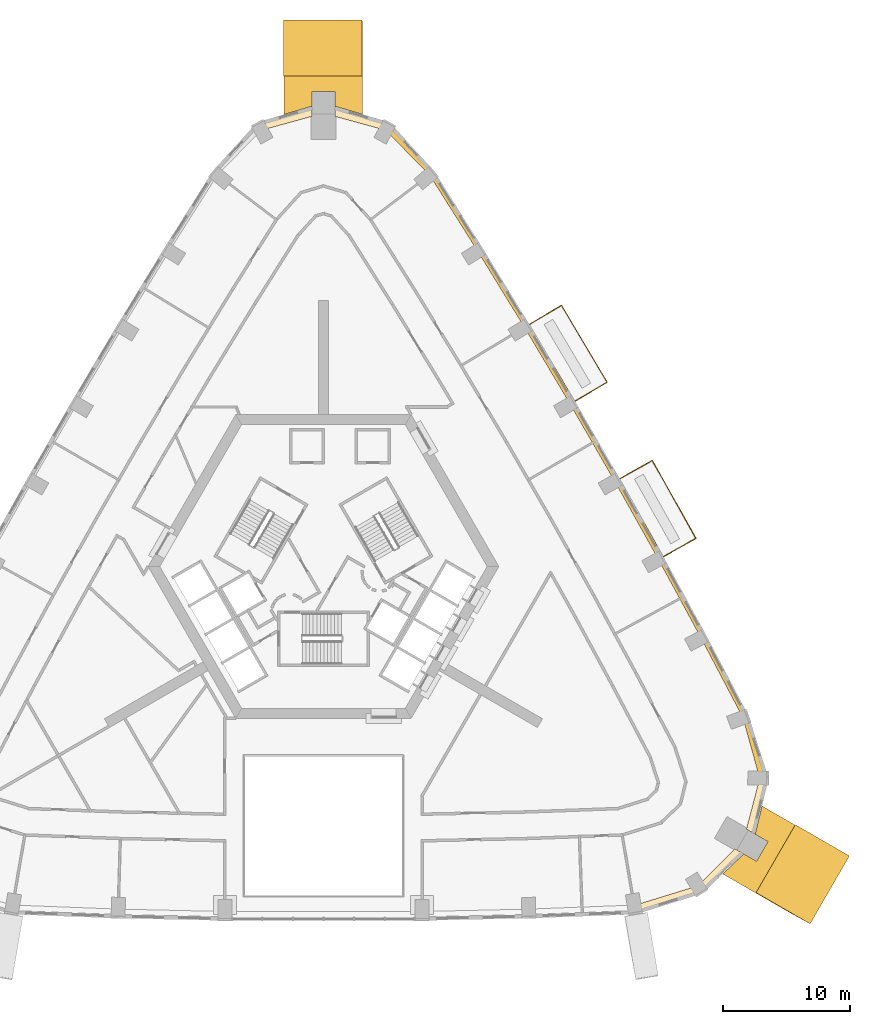
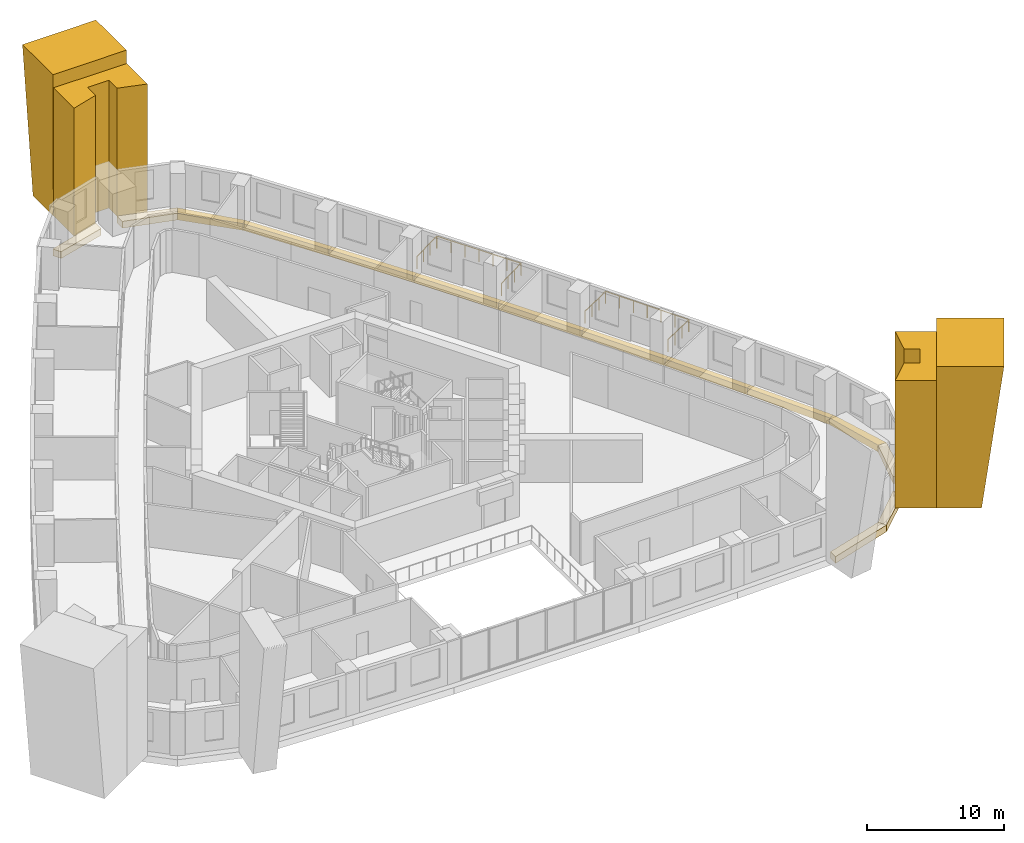
# One storey, part 14 of 14: 18 coverings, 2 railings.
"""IFC4 building model written with IfcOpenShell, lengths in metres."""

from ifc_helpers import new_model, si_unit, direction, frame, origin, origin_2d, place, context, subcontext, project, spatial, polyline, circle, outline, extrude, material, type_object, element, save


model = new_model("IFC4")

# Units and contexts
model_context = context("Model", 3, precision=1e-05, world=origin(), true_north=direction((0.0, 1.0)))
body_context = subcontext(model_context, "Body", "Model", "MODEL_VIEW")
ifc_project = project(units=[si_unit("LENGTHUNIT", "METRE"), si_unit("AREAUNIT", "SQUARE_METRE"), si_unit("VOLUMEUNIT", "CUBIC_METRE"), si_unit("PLANEANGLEUNIT", "RADIAN"), si_unit("MASSUNIT", "GRAM", prefix="KILO")], contexts=[model_context])

# Site, building, storey
site_placement = place(None, origin())
site = spatial("IfcSite", under=ifc_project, at=site_placement, CompositionType="ELEMENT")
building_placement = place(site_placement, origin())
building = spatial("IfcBuilding", under=site, at=building_placement, Name="Entoto Arch Interchange Tower", CompositionType="ELEMENT")
storey_placement = place(building_placement, frame((0.0, 0.0, 163.39990234375)))
storey = spatial("IfcBuildingStorey", under=building, at=storey_placement, Name="L36", CompositionType="ELEMENT", Elevation=163.39990234375)

# Railings
ifc_material_1 = material(Name="Stainless steel 1.4301", Category="steel")
railing_type = type_object("IfcRailingType", Name="GUARD 1100 STEEL AND GLASS", PredefinedType="GUARDRAIL", material=ifc_material_1)
railing_1_placement = place(storey_placement, frame((26.860107421875, 3.27490234375, 0.0)))
element("IfcRailing", 1, at=railing_1_placement, inside=storey, type_object=railing_type, Name="Balcony guard NE-03 L36", PredefinedType="GUARDRAIL", context=body_context, shape_type="SweptSolid", body=[
    extrude(circle(Radius=0.02392578125, at=origin_2d()), frame((0.0, 0.0, 1.076171875), z_axis=(0.872182657065, 0.489180347842, 0.0), x_axis=(-0.489180347842, 0.872182657065, 0.0)), (0.0, 0.0, 1.0), 2.949951171875),
    extrude(circle(Radius=0.02392578125, at=origin_2d()), frame((2.572998046875, 1.443115234375, 1.076171875), z_axis=(-0.489034853552, 0.872264244373, 0.0), x_axis=(-0.872264244373, -0.489034853552, 0.0)), (0.0, 0.0, 1.0), 7.06298828125),
    extrude(circle(Radius=0.02392578125, at=origin_2d()), frame((-0.881103515625, 7.60400390625, 1.076171875), z_axis=(-0.872217965147, -0.489117390077, 0.0), x_axis=(0.489117390077, -0.872217965147, 0.0)), (0.0, 0.0, 1.0), 2.949951171875),
    extrude(circle(Radius=0.02099609375, at=origin_2d()), origin(), (0.0, 0.0, 1.0), 1.052001953125),
    extrude(circle(Radius=0.02099609375, at=origin_2d()), frame((0.857666015625, 0.48095703125, 0.0)), (0.0, 0.0, 1.0), 1.052001953125),
    extrude(circle(Radius=0.02099609375, at=origin_2d()), frame((1.71533203125, 0.962158203125, 0.0)), (0.0, 0.0, 1.0), 1.052001953125),
    extrude(circle(Radius=0.02099609375, at=origin_2d()), frame((2.572998046875, 1.443115234375, 0.0)), (0.0, 0.0, 1.0), 1.052001953125),
    extrude(circle(Radius=0.02099609375, at=origin_2d()), frame((1.997314453125, 2.469970703125, 0.0)), (0.0, 0.0, 1.0), 1.052001953125),
    extrude(circle(Radius=0.02099609375, at=origin_2d()), frame((1.421630859375, 3.496826171875, 0.0)), (0.0, 0.0, 1.0), 1.052001953125),
    extrude(circle(Radius=0.02099609375, at=origin_2d()), frame((0.845947265625, 4.5234375, 0.0)), (0.0, 0.0, 1.0), 1.052001953125),
    extrude(circle(Radius=0.02099609375, at=origin_2d()), frame((0.270263671875, 5.55029296875, 0.0)), (0.0, 0.0, 1.0), 1.052001953125),
    extrude(circle(Radius=0.02099609375, at=origin_2d()), frame((-0.305419921875, 6.5771484375, 0.0)), (0.0, 0.0, 1.0), 1.052001953125),
    extrude(circle(Radius=0.02099609375, at=origin_2d()), frame((-0.881103515625, 7.60400390625, 0.0)), (0.0, 0.0, 1.0), 1.052001953125),
    extrude(circle(Radius=0.02099609375, at=origin_2d()), frame((-1.73876953125, 7.123046875, 0.0)), (0.0, 0.0, 1.0), 1.052001953125),
    extrude(circle(Radius=0.02099609375, at=origin_2d()), frame((-2.596435546875, 6.64208984375, 0.0)), (0.0, 0.0, 1.0), 1.052001953125),
    extrude(circle(Radius=0.02099609375, at=origin_2d()), frame((-3.4541015625, 6.1611328125, 0.0)), (0.0, 0.0, 1.0), 1.052001953125),
])
railing_2_placement = place(storey_placement, frame((19.875, 15.552978515625, 0.0)))
element("IfcRailing", 2, at=railing_2_placement, inside=storey, type_object=railing_type, Name="Balcony guard NE-05 L36", PredefinedType="GUARDRAIL", context=body_context, shape_type="SweptSolid", body=[
    extrude(circle(Radius=0.02392578125, at=origin_2d()), frame((0.0, 0.0, 1.076171875), z_axis=(0.859646901656, 0.510888641949, 0.0), x_axis=(-0.510888641949, 0.859646901656, 0.0)), (0.0, 0.0, 1.0), 2.949951171875),
    extrude(circle(Radius=0.02392578125, at=origin_2d()), frame((2.535888671875, 1.507080078125, 1.076171875), z_axis=(-0.510978756975, 0.859593339853, 0.0), x_axis=(-0.859593339853, -0.510978756975, 0.0)), (0.0, 0.0, 1.0), 7.062744140625),
    extrude(circle(Radius=0.02392578125, at=origin_2d()), frame((-1.072998046875, 7.578125, 1.076171875), z_axis=(-0.859646901656, -0.510888641949, 0.0), x_axis=(0.510888641949, -0.859646901656, 0.0)), (0.0, 0.0, 1.0), 2.949951171875),
    extrude(circle(Radius=0.02099609375, at=origin_2d()), origin(), (0.0, 0.0, 1.0), 1.052001953125),
    extrude(circle(Radius=0.02099609375, at=origin_2d()), frame((0.84521484375, 0.50244140625, 0.0)), (0.0, 0.0, 1.0), 1.052001953125),
    extrude(circle(Radius=0.02099609375, at=origin_2d()), frame((1.690673828125, 1.004638671875, 0.0)), (0.0, 0.0, 1.0), 1.052001953125),
    extrude(circle(Radius=0.02099609375, at=origin_2d()), frame((2.535888671875, 1.507080078125, 0.0)), (0.0, 0.0, 1.0), 1.052001953125),
    extrude(circle(Radius=0.02099609375, at=origin_2d()), frame((1.934326171875, 2.51904296875, 0.0)), (0.0, 0.0, 1.0), 1.052001953125),
    extrude(circle(Radius=0.02099609375, at=origin_2d()), frame((1.3330078125, 3.53076171875, 0.0)), (0.0, 0.0, 1.0), 1.052001953125),
    extrude(circle(Radius=0.02099609375, at=origin_2d()), frame((0.7314453125, 4.54248046875, 0.0)), (0.0, 0.0, 1.0), 1.052001953125),
    extrude(circle(Radius=0.02099609375, at=origin_2d()), frame((0.1298828125, 5.554443359375, 0.0)), (0.0, 0.0, 1.0), 1.052001953125),
    extrude(circle(Radius=0.02099609375, at=origin_2d()), frame((-0.471435546875, 6.56640625, 0.0)), (0.0, 0.0, 1.0), 1.052001953125),
    extrude(circle(Radius=0.02099609375, at=origin_2d()), frame((-1.072998046875, 7.578125, 0.0)), (0.0, 0.0, 1.0), 1.052001953125),
    extrude(circle(Radius=0.02099609375, at=origin_2d()), frame((-1.918212890625, 7.07568359375, 0.0)), (0.0, 0.0, 1.0), 1.052001953125),
    extrude(circle(Radius=0.02099609375, at=origin_2d()), frame((-2.763671875, 6.573486328125, 0.0)), (0.0, 0.0, 1.0), 1.052001953125),
    extrude(circle(Radius=0.02099609375, at=origin_2d()), frame((-3.60888671875, 6.071044921875, 0.0)), (0.0, 0.0, 1.0), 1.052001953125),
])

# Coverings
ifc_material_2 = material(Name="Board-marked precast concrete C50/60", Category="concrete")
covering_type_1 = type_object("IfcCoveringType", Name="PRECAST FRAME COURSE", PredefinedType="CLADDING", material=ifc_material_2)
covering_1_placement = place(storey_placement, frame((0.0, 0.0, -0.39990234375)))
element("IfcCovering", 3, at=covering_1_placement, inside=storey, type_object=covering_type_1, Name="Corner pilaster SE L36-L38", PredefinedType="CLADDING", context=body_context, shape_type="SweptSolid", body=[
    extrude(outline(polyline([(37.258056640625, -17.929931640625), (34.157958984375, -23.300048828125), (31.5458984375, -21.7919921875), (33.208984375, -20.2119140625), (34.218017578125, -20.7939453125), (35.117919921875, -19.236083984375), (34.10888671875, -18.653076171875), (34.64599609375, -16.422119140625), (37.258056640625, -17.929931640625)])), origin(), (0.0, 0.0, 1.0), 11.39990234375),
])
covering_2_placement = place(storey_placement, frame((0.0, 0.0, -0.39990234375)))
element("IfcCovering", 4, at=covering_2_placement, inside=storey, type_object=covering_type_1, Name="Corner pilaster N L36-L38", PredefinedType="CLADDING", context=body_context, shape_type="SweptSolid", body=[
    extrude(outline(polyline([(-3.10009765625, 41.23095703125), (3.10009765625, 41.23095703125), (3.10009765625, 38.216064453125), (0.89990234375, 38.864990234375), (0.89990234375, 40.031005859375), (-0.89990234375, 40.031005859375), (-0.89990234375, 38.864990234375), (-3.10009765625, 38.216064453125), (-3.10009765625, 41.23095703125)])), origin(), (0.0, 0.0, 1.0), 11.39990234375),
])
covering_3_placement = place(storey_placement, frame((34.157958984375, -23.300048828125, -0.39990234375), z_axis=(-0.499983741929, -0.866029497231, 0.003027826491), x_axis=(0.866033466902, -0.499986034011, -7.9219e-08)))
element("IfcCovering", 5, at=covering_3_placement, inside=storey, type_object=covering_type_1, Name="Corner rib SE L36-L38", PredefinedType="CLADDING", context=body_context, shape_type="SweptSolid", body=[
    extrude(outline(polyline([(0.0, 0.0), (3.297794230841676, 0.0), (4.933892830251761, 12.600155804672813), (1.1818200398631304e-05, 12.600155152567064), (0.0, 0.0)])), origin(), (0.0, 0.0, -1.0), 6.199951171875),
])
covering_4_placement = place(storey_placement, frame((3.10009765625, 41.23095703125, -0.39990234375), z_axis=(0.999995431764, 0.0, 0.003022656217), x_axis=(0.0, 1.0, 0.0)))
element("IfcCovering", 6, at=covering_4_placement, inside=storey, type_object=covering_type_1, Name="Corner rib N L36-L38", PredefinedType="CLADDING", context=body_context, shape_type="SweptSolid", body=[
    extrude(outline(polyline([(0.0, 0.0), (2.968994140625, 0.0), (4.442138671875, 12.600155216729355), (0.0, 12.600155216729355), (0.0, 0.0)])), origin(), (0.0, 0.0, -1.0), 6.199951171875),
])
covering_type_2 = type_object("IfcCoveringType", Name="PRECAST LEDGE COURSE", PredefinedType="CLADDING", material=ifc_material_2)
covering_5_placement = place(storey_placement, frame((0.0, 0.0, -1.0)))
element("IfcCovering", 7, at=covering_5_placement, inside=storey, type_object=covering_type_2, Name="Precast course SE-01 L36", PredefinedType="CLADDING", context=body_context, shape_type="SweptSolid", body=[
    extrude(outline(polyline([(29.551025390625, -22.735107421875), (29.9189453125, -23.339111328125), (24.6689453125, -24.97705078125), (24.6689453125, -24.241943359375), (29.551025390625, -22.735107421875)])), origin(), (0.0, 0.0, 1.0), 0.60009765625),
])
covering_6_placement = place(storey_placement, frame((0.0, 0.0, -1.0)))
element("IfcCovering", 8, at=covering_6_placement, inside=storey, type_object=covering_type_2, Name="Precast course SE-02 L36", PredefinedType="CLADDING", context=body_context, shape_type="SweptSolid", body=[
    extrude(outline(polyline([(32.514892578125, -19.81103515625), (33.208984375, -20.2119140625), (29.9189453125, -23.339111328125), (29.551025390625, -22.735107421875), (32.514892578125, -19.81103515625)])), origin(), (0.0, 0.0, 1.0), 0.60009765625),
])
covering_7_placement = place(storey_placement, frame((0.0, 0.0, -1.0)))
element("IfcCovering", 9, at=covering_7_placement, inside=storey, type_object=covering_type_2, Name="Precast course SE-03 L36", PredefinedType="CLADDING", context=body_context, shape_type="SweptSolid", body=[
    extrude(outline(polyline([(34.465087890625, -14.22412109375), (35.1708984375, -14.240966796875), (34.10888671875, -18.653076171875), (33.4150390625, -18.2529296875), (34.465087890625, -14.22412109375)])), origin(), (0.0, 0.0, 1.0), 0.60009765625),
])
covering_8_placement = place(storey_placement, frame((0.0, 0.0, -1.0)))
element("IfcCovering", 10, at=covering_8_placement, inside=storey, type_object=covering_type_2, Name="Precast course SE-04 L36", PredefinedType="CLADDING", context=body_context, shape_type="SweptSolid", body=[
    extrude(outline(polyline([(33.135986328125, -9.446044921875), (33.58203125, -9.281005859375), (35.1708984375, -14.240966796875), (34.465087890625, -14.22412109375), (33.135986328125, -9.446044921875)])), origin(), (0.0, 0.0, 1.0), 0.60009765625),
])
covering_9_placement = place(storey_placement, frame((0.0, 0.0, -1.0)))
element("IfcCovering", 11, at=covering_9_placement, inside=storey, type_object=covering_type_2, Name="Precast course NE-01 L36", PredefinedType="CLADDING", context=body_context, shape_type="SweptSolid", body=[
    extrude(outline(polyline([(29.827880859375, -3.14794921875), (30.23388671875, -2.931884765625), (33.58203125, -9.281005859375), (33.135986328125, -9.446044921875), (29.827880859375, -3.14794921875)])), origin(), (0.0, 0.0, 1.0), 0.60009765625),
])
covering_10_placement = place(storey_placement, frame((0.0, 0.0, -1.0)))
element("IfcCovering", 12, at=covering_10_placement, inside=storey, type_object=covering_type_2, Name="Precast course NE-02 L36", PredefinedType="CLADDING", context=body_context, shape_type="SweptSolid", body=[
    extrude(outline(polyline([(26.4619140625, 3.055908203125), (26.860107421875, 3.27490234375), (30.23388671875, -2.931884765625), (29.827880859375, -3.14794921875), (26.4619140625, 3.055908203125)])), origin(), (0.0, 0.0, 1.0), 0.60009765625),
])
covering_11_placement = place(storey_placement, frame((0.0, 0.0, -1.0)))
element("IfcCovering", 13, at=covering_11_placement, inside=storey, type_object=covering_type_2, Name="Precast course NE-03 L36", PredefinedType="CLADDING", context=body_context, shape_type="SweptSolid", body=[
    extrude(outline(polyline([(23.014892578125, 9.214111328125), (23.406005859375, 9.43603515625), (26.860107421875, 3.27490234375), (26.4619140625, 3.055908203125), (23.014892578125, 9.214111328125)])), origin(), (0.0, 0.0, 1.0), 0.60009765625),
])
covering_12_placement = place(storey_placement, frame((0.0, 0.0, -1.0)))
element("IfcCovering", 14, at=covering_12_placement, inside=storey, type_object=covering_type_2, Name="Precast course NE-04 L36", PredefinedType="CLADDING", context=body_context, shape_type="SweptSolid", body=[
    extrude(outline(polyline([(19.486083984375, 15.324951171875), (19.875, 15.552978515625), (23.406005859375, 9.43603515625), (23.014892578125, 9.214111328125), (19.486083984375, 15.324951171875)])), origin(), (0.0, 0.0, 1.0), 0.60009765625),
])
covering_13_placement = place(storey_placement, frame((0.0, 0.0, -1.0)))
element("IfcCovering", 15, at=covering_13_placement, inside=storey, type_object=covering_type_2, Name="Precast course NE-05 L36", PredefinedType="CLADDING", context=body_context, shape_type="SweptSolid", body=[
    extrude(outline(polyline([(15.876953125, 21.388916015625), (16.26611328125, 21.6240234375), (19.875, 15.552978515625), (19.486083984375, 15.324951171875), (15.876953125, 21.388916015625)])), origin(), (0.0, 0.0, 1.0), 0.60009765625),
])
covering_14_placement = place(storey_placement, frame((0.0, 0.0, -1.0)))
element("IfcCovering", 16, at=covering_14_placement, inside=storey, type_object=covering_type_2, Name="Precast course NE-06 L36", PredefinedType="CLADDING", context=body_context, shape_type="SweptSolid", body=[
    extrude(outline(polyline([(12.18798828125, 27.405029296875), (12.577880859375, 27.64892578125), (16.26611328125, 21.6240234375), (15.876953125, 21.388916015625), (12.18798828125, 27.405029296875)])), origin(), (0.0, 0.0, 1.0), 0.60009765625),
])
covering_15_placement = place(storey_placement, frame((0.0, 0.0, -1.0)))
element("IfcCovering", 17, at=covering_15_placement, inside=storey, type_object=covering_type_2, Name="Precast course NE-07 L36", PredefinedType="CLADDING", context=body_context, shape_type="SweptSolid", body=[
    extrude(outline(polyline([(8.386962890625, 33.419921875), (8.7529296875, 33.72412109375), (12.577880859375, 27.64892578125), (12.18798828125, 27.405029296875), (8.386962890625, 33.419921875)])), origin(), (0.0, 0.0, 1.0), 0.60009765625),
])
covering_16_placement = place(storey_placement, frame((0.0, 0.0, -1.0)))
element("IfcCovering", 18, at=covering_16_placement, inside=storey, type_object=covering_type_2, Name="Precast course N-01 L36", PredefinedType="CLADDING", context=body_context, shape_type="SweptSolid", body=[
    extrude(outline(polyline([(4.9140625, 36.958984375), (5.2529296875, 37.580078125), (8.7529296875, 33.72412109375), (8.386962890625, 33.419921875), (4.9140625, 36.958984375)])), origin(), (0.0, 0.0, 1.0), 0.60009765625),
])
covering_17_placement = place(storey_placement, frame((0.0, 0.0, -1.0)))
element("IfcCovering", 19, at=covering_17_placement, inside=storey, type_object=covering_type_2, Name="Precast course N-02 L36", PredefinedType="CLADDING", context=body_context, shape_type="SweptSolid", body=[
    extrude(outline(polyline([(0.89990234375, 38.06396484375), (0.89990234375, 38.864990234375), (5.2529296875, 37.580078125), (4.9140625, 36.958984375), (0.89990234375, 38.06396484375)])), origin(), (0.0, 0.0, 1.0), 0.60009765625),
])
covering_18_placement = place(storey_placement, frame((0.0, 0.0, -1.0)))
element("IfcCovering", 20, at=covering_18_placement, inside=storey, type_object=covering_type_2, Name="Precast course N-03 L36", PredefinedType="CLADDING", context=body_context, shape_type="SweptSolid", body=[
    extrude(outline(polyline([(-4.9140625, 36.958984375), (-5.2529296875, 37.580078125), (-0.89990234375, 38.864990234375), (-0.89990234375, 38.06396484375), (-4.9140625, 36.958984375)])), origin(), (0.0, 0.0, 1.0), 0.60009765625),
])

save(model, "model.ifc")
